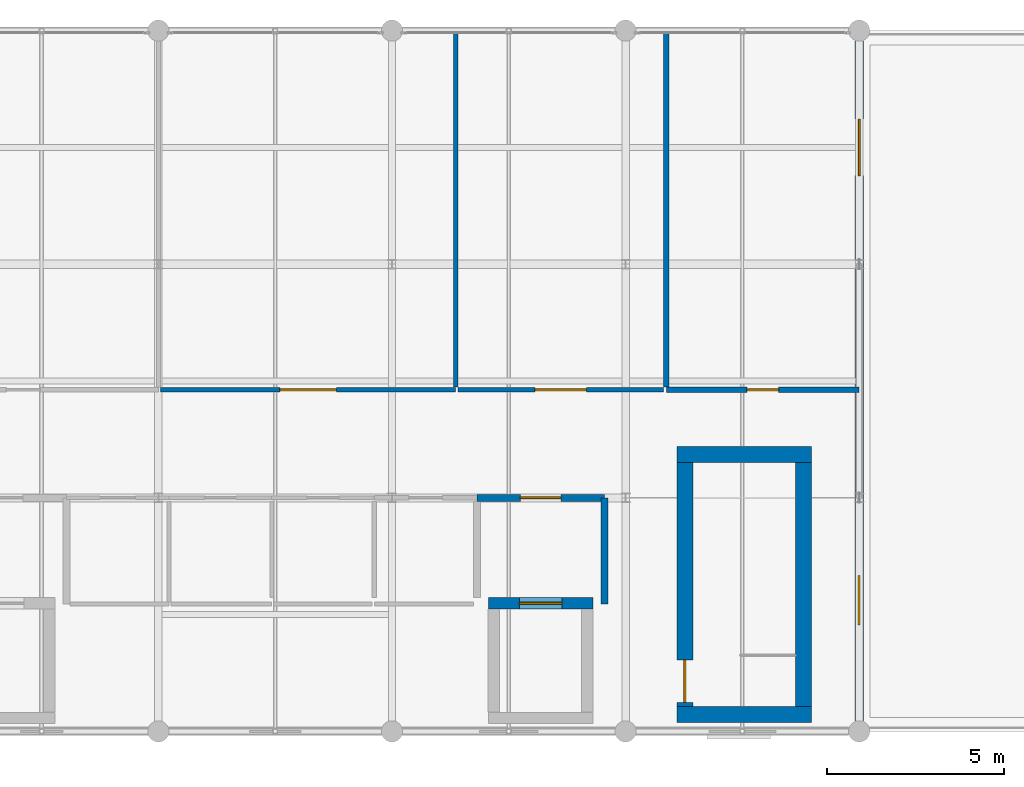
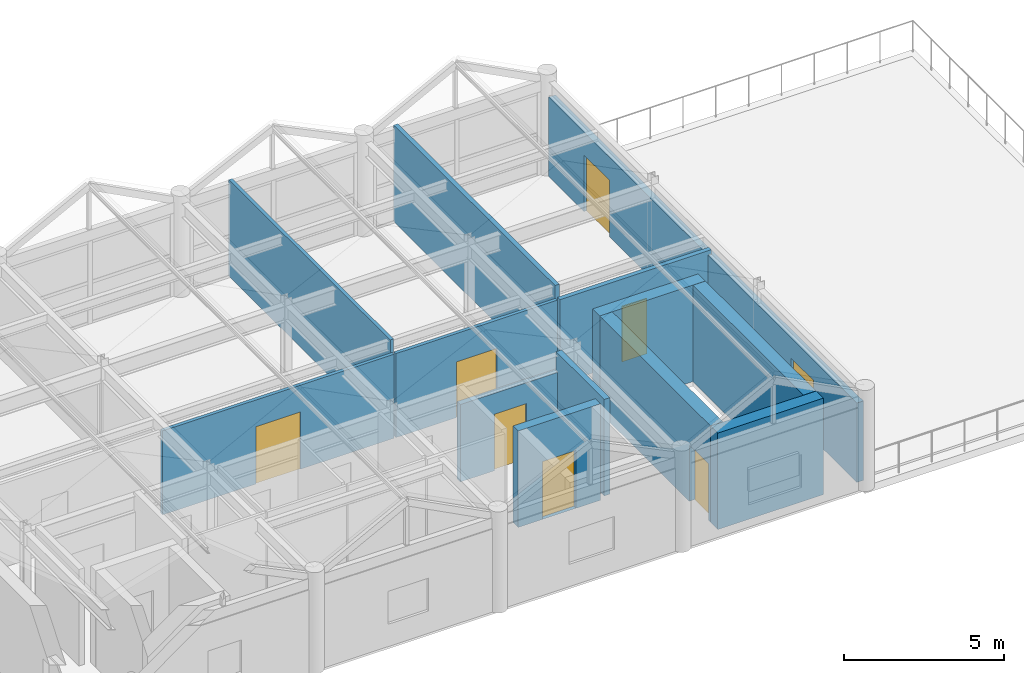
# One storey, part 20 of 21: 13 walls, 7 doors, 1 window, 8 openings.
"""IFC4 building model written with IfcOpenShell, lengths in metres."""

from ifc_helpers import new_model, si_unit, direction, frame, frame_2d, origin, place, context, subcontext, project, spatial, rectangle, extrude, material, layer, layer_set, type_object, element, fill, save


model = new_model("IFC4")

# Units and contexts
model_context = context("Model", 3, precision=1e-05, world=origin(), true_north=direction((0.0, 1.0)))
body_context = subcontext(model_context, "Body", "Model", "MODEL_VIEW")
ifc_project = project(units=[si_unit("LENGTHUNIT", "METRE"), si_unit("AREAUNIT", "SQUARE_METRE"), si_unit("VOLUMEUNIT", "CUBIC_METRE"), si_unit("PLANEANGLEUNIT", "RADIAN"), si_unit("MASSUNIT", "GRAM", prefix="KILO")], contexts=[model_context])

# Site, building, storey
site_placement = place(None, origin())
site = spatial("IfcSite", under=ifc_project, at=site_placement, CompositionType="ELEMENT")
building_placement = place(site_placement, origin())
building = spatial("IfcBuilding", under=site, at=building_placement, Name="Karori Crest Natural Sciences Institute", CompositionType="ELEMENT")
storey_placement = place(building_placement, frame((0.0, 0.0, 42.0)))
storey = spatial("IfcBuildingStorey", under=building, at=storey_placement, Name="L10", CompositionType="ELEMENT", Elevation=42.0)

# Walls
ifc_material_1 = material(Name="Concrete 50 MPa", Category="concrete")
ifc_layer_1 = layer(ifc_material_1, 0.449951171875, Name="Concrete 50 MPa")
ifc_layer_set_1 = layer_set([ifc_layer_1], Name="Concrete 50 MPa")
wall_type_1 = type_object("IfcWallType", Name="IWT-01", PredefinedType="SHEAR", material=ifc_layer_set_1)
for number, where, z_axis, x_axis, name in (
    (1, (131.449951171875, 1.27490234375, 0.0), (0.0, 0.0, 1.0), (1.0, 0.0, 0.0), "Shear wall IW-0161"),
    (2, (131.449951171875, 8.625, 0.0), (0.0, 0.0, 1.0), (1.0, 0.0, 0.0), "Shear wall IW-0162"),
):
    element("IfcWall", number, at=place(storey_placement, frame(where, z_axis=z_axis, x_axis=x_axis)), inside=storey, type_object=wall_type_1, Name=name, PredefinedType="SHEAR", context=body_context, shape_type="SweptSolid", body=[
        extrude(rectangle(XDim=3.800048828125, YDim=0.449951171875, at=frame_2d((1.89990234375, 0.0))), origin(), (0.0, 0.0, 1.0), 3.669921875),
    ])

# Wall, opening, door
wall_1_placement = place(storey_placement, frame((131.675048828125, 1.501953125, 0.0), z_axis=(0.0, 0.0, 1.0), x_axis=(0.0, 1.0, 0.0)))
wall_1 = element("IfcWall", 3, at=wall_1_placement, inside=storey, type_object=wall_type_1, Name="Shear wall IW-0163", PredefinedType="SHEAR", context=body_context, shape_type="SweptSolid", body=[
    extrude(rectangle(XDim=6.89599609375, YDim=0.449951171875, at=frame_2d((3.447998046875, 0.0))), origin(), (0.0, 0.0, 1.0), 3.669921875),
])
opening_1_placement = place(wall_1_placement, frame((0.1201171875, 0.0, 0.0)))
opening_1 = element("IfcOpeningElement", 4, at=opening_1_placement, cuts=wall_1, Name="Opening ID-0041", PredefinedType="OPENING", context=body_context, shape_type="SweptSolid", body=[
    extrude(rectangle(XDim=1.199951171875, YDim=2.14990234375, at=frame_2d((0.60009765625, 1.074951171875))), frame((0.0, 0.23486328125, 0.0), z_axis=(0.0, -1.0, 0.0), x_axis=(1.0, 0.0, 0.0)), (0.0, 0.0, 1.0), 0.469970703125),
])
ifc_material_2 = material(Name="Stainless steel 316 and fire-rated timber", Category="steel")
door_type_1 = type_object("IfcDoorType", Name="IDT-01", OperationType="NOTDEFINED", PredefinedType="DOOR", material=ifc_material_2)
door_1_placement = place(opening_1_placement, origin())
door_1 = element("IfcDoor", 5, at=door_1_placement, inside=storey, type_object=door_type_1, Name="Stair ST-04 fire door ID-0041", OperationType="SINGLE_SWING_LEFT", OverallHeight=2.14990234375, OverallWidth=1.199951171875, PredefinedType="DOOR", context=body_context, shape_type="SweptSolid", body=[
    extrude(rectangle(XDim=1.199951171875, YDim=2.14990234375, at=frame_2d((0.60009765625, 1.074951171875))), frame((0.0, 0.02490234375, 0.0), z_axis=(0.0, -1.0, 0.0), x_axis=(1.0, 0.0, 0.0)), (0.0, 0.0, 1.0), 0.050048828125),
])
fill(opening_1, door_1)

# Wall
wall_2_placement = place(storey_placement, frame((135.02490234375, 1.501953125, 0.0), z_axis=(0.0, 0.0, 1.0), x_axis=(0.0, 1.0, 0.0)))
element("IfcWall", 6, at=wall_2_placement, inside=storey, type_object=wall_type_1, Name="Shear wall IW-0164", PredefinedType="SHEAR", context=body_context, shape_type="SweptSolid", body=[
    extrude(rectangle(XDim=6.89599609375, YDim=0.449951171875, at=frame_2d((3.447998046875, 0.0))), origin(), (0.0, 0.0, 1.0), 3.669921875),
])

# Wall, opening, door
ifc_layer_2 = layer(ifc_material_1, 0.320068359375, Name="Concrete 50 MPa")
ifc_layer_set_2 = layer_set([ifc_layer_2], Name="Concrete 50 MPa")
wall_type_2 = type_object("IfcWallType", Name="IWT-03", PredefinedType="SHEAR", material=ifc_layer_set_2)
wall_3_placement = place(storey_placement, frame((126.1201171875, 4.419921875, 0.0), z_axis=(0.0, 0.0, 1.0), x_axis=(1.0, 0.0, 0.0)))
wall_3 = element("IfcWall", 7, at=wall_3_placement, inside=storey, type_object=wall_type_2, Name="Shear wall IW-0398", PredefinedType="SHEAR", context=body_context, shape_type="SweptSolid", body=[
    extrude(rectangle(XDim=2.9599609375, YDim=0.320068359375, at=frame_2d((1.47998046875, 0.0))), origin(), (0.0, 0.0, 1.0), 3.669921875),
])
opening_2_placement = place(wall_3_placement, frame((0.8798828125, 0.0, 0.0)))
opening_2 = element("IfcOpeningElement", 8, at=opening_2_placement, cuts=wall_3, Name="Opening LD-0024", PredefinedType="OPENING", context=body_context, shape_type="SweptSolid", body=[
    extrude(rectangle(XDim=1.199951171875, YDim=2.199951171875, at=frame_2d((0.60009765625, 1.10009765625))), frame((0.0, 0.169921875, 0.0), z_axis=(0.0, -1.0, 0.0), x_axis=(1.0, 0.0, 0.0)), (0.0, 0.0, 1.0), 0.340087890625),
])
door_type_2 = type_object("IfcDoorType", Name="LDT-02", OperationType="SLIDING_TO_LEFT", PredefinedType="DOOR", material=ifc_material_2)
door_2_placement = place(opening_2_placement, origin())
door_2 = element("IfcDoor", 9, at=door_2_placement, inside=storey, type_object=door_type_2, Name="Lift LF-02 landing door LD-0024", OperationType="SLIDING_TO_LEFT", OverallHeight=2.199951171875, OverallWidth=1.199951171875, PredefinedType="DOOR", context=body_context, shape_type="SweptSolid", body=[
    extrude(rectangle(XDim=1.199951171875, YDim=2.199951171875, at=frame_2d((0.60009765625, 1.10009765625))), frame((0.0, 0.02490234375, 0.0), z_axis=(0.0, -1.0, 0.0), x_axis=(1.0, 0.0, 0.0)), (0.0, 0.0, 1.0), 0.050048828125),
])
fill(opening_2, door_2)

ifc_material_3 = material(Name="Concrete 40 MPa", Category="concrete")
ifc_layer_3 = layer(ifc_material_3, 0.199951171875, Name="Concrete 40 MPa")
ifc_layer_set_3 = layer_set([ifc_layer_3], Name="Concrete 40 MPa")
wall_type_3 = type_object("IfcWallType", Name="IWT-04", PredefinedType="SOLIDWALL", material=ifc_layer_set_3)
wall_4_placement = place(storey_placement, frame((125.800048828125, 7.39990234375, 0.0), z_axis=(0.0, 0.0, 1.0), x_axis=(1.0, 0.0, 0.0)))
wall_4 = element("IfcWall", 10, at=wall_4_placement, inside=storey, type_object=wall_type_3, Name="Partition wall IW-0869", PredefinedType="SOLIDWALL", context=body_context, shape_type="SweptSolid", body=[
    extrude(rectangle(XDim=3.599853515625, YDim=0.199951171875, at=frame_2d((1.7998046875, 0.0))), origin(), (0.0, 0.0, 1.0), 2.943115234375),
])
opening_3_placement = place(wall_4_placement, frame((1.22509765625, 0.0, 0.0)))
opening_3 = element("IfcOpeningElement", 11, at=opening_3_placement, cuts=wall_4, Name="Opening ID-0212", PredefinedType="OPENING", context=body_context, shape_type="SweptSolid", body=[
    extrude(rectangle(XDim=1.14990234375, YDim=2.14990234375, at=frame_2d((0.574951171875, 1.074951171875))), frame((0.0, 0.10986328125, 0.0), z_axis=(0.0, -1.0, 0.0), x_axis=(1.0, 0.0, 0.0)), (0.0, 0.0, 1.0), 0.219970703125),
])
door_type_3 = type_object("IfcDoorType", Name="IDT-02", OperationType="NOTDEFINED", PredefinedType="DOOR", material=ifc_material_2)
door_3_placement = place(opening_3_placement, origin())
door_3 = element("IfcDoor", 12, at=door_3_placement, inside=storey, type_object=door_type_3, Name="Firefighting Lift Lobby East door ID-0212", OperationType="SINGLE_SWING_RIGHT", OverallHeight=2.14990234375, OverallWidth=1.14990234375, PredefinedType="DOOR", context=body_context, shape_type="SweptSolid", body=[
    extrude(rectangle(XDim=1.14990234375, YDim=2.14990234375, at=frame_2d((0.574951171875, 1.074951171875))), frame((0.0, 0.02490234375, 0.0), z_axis=(0.0, -1.0, 0.0), x_axis=(1.0, 0.0, 0.0)), (0.0, 0.0, 1.0), 0.050048828125),
])
fill(opening_3, door_3)

# Wall
wall_5_placement = place(storey_placement, frame((129.39990234375, 4.39990234375, 0.0), z_axis=(0.0, 0.0, 1.0), x_axis=(0.0, 1.0, 0.0)))
element("IfcWall", 13, at=wall_5_placement, inside=storey, type_object=wall_type_3, Name="Partition wall IW-0871", PredefinedType="SOLIDWALL", context=body_context, shape_type="SweptSolid", body=[
    extrude(rectangle(XDim=3.0, YDim=0.199951171875, at=frame_2d((1.5, 0.0))), origin(), (0.0, 0.0, 1.0), 3.669921875),
])

# Wall, opening, door
ifc_material_4 = material(Name="Acoustic steel-stud fireboard partition", Category="steel")
ifc_layer_4 = layer(ifc_material_4, 0.159912109375, Name="Acoustic steel-stud fireboard partition")
ifc_layer_set_4 = layer_set([ifc_layer_4], Name="Acoustic steel-stud fireboard partition")
wall_type_4 = type_object("IfcWallType", Name="IWT-05", PredefinedType="PARTITIONING", material=ifc_layer_set_4)
wall_6_placement = place(storey_placement, frame((131.14990234375, 10.449951171875, 0.0), z_axis=(0.0, 0.0, 1.0), x_axis=(1.0, 0.0, 0.0)))
wall_6 = element("IfcWall", 14, at=wall_6_placement, inside=storey, type_object=wall_type_4, Name="Partition wall IW-0883", PredefinedType="PARTITIONING", context=body_context, shape_type="SweptSolid", body=[
    extrude(rectangle(XDim=5.4501953125, YDim=0.159912109375, at=frame_2d((2.72509765625, 0.0))), origin(), (0.0, 0.0, 1.0), 3.196044921875),
])
opening_4_placement = place(wall_6_placement, frame((2.27490234375, 0.0, 0.0)))
opening_4 = element("IfcOpeningElement", 15, at=opening_4_placement, cuts=wall_6, Name="Opening ID-0217", PredefinedType="OPENING", context=body_context, shape_type="SweptSolid", body=[
    extrude(rectangle(XDim=0.89990234375, YDim=2.10009765625, at=frame_2d((0.449951171875, 1.050048828125))), frame((0.0, 0.08984375, 0.0), z_axis=(0.0, -1.0, 0.0), x_axis=(1.0, 0.0, 0.0)), (0.0, 0.0, 1.0), 0.179931640625),
])
door_type_4 = type_object("IfcDoorType", Name="IDT-07", OperationType="NOTDEFINED", PredefinedType="DOOR", material=ifc_material_2)
door_4_placement = place(opening_4_placement, origin())
door_4 = element("IfcDoor", 16, at=door_4_placement, inside=storey, type_object=door_type_4, Name="Heat-Recovery Mechanical Plant Room door ID-0217", OperationType="SINGLE_SWING_LEFT", OverallHeight=2.10009765625, OverallWidth=0.89990234375, PredefinedType="DOOR", context=body_context, shape_type="SweptSolid", body=[
    extrude(rectangle(XDim=0.89990234375, YDim=2.10009765625, at=frame_2d((0.449951171875, 1.050048828125))), frame((0.0, 0.02490234375, 0.0), z_axis=(0.0, -1.0, 0.0), x_axis=(1.0, 0.0, 0.0)), (0.0, 0.0, 1.0), 0.050048828125),
])
fill(opening_4, door_4)

# Wall
wall_7_placement = place(storey_placement, frame((131.14990234375, 10.531982421875, 0.0), z_axis=(0.0, 0.0, 1.0), x_axis=(0.0, 1.0, 0.0)))
element("IfcWall", 17, at=wall_7_placement, inside=storey, type_object=wall_type_4, Name="Partition wall IW-0884", PredefinedType="PARTITIONING", context=body_context, shape_type="SweptSolid", body=[
    extrude(rectangle(XDim=10.068115234375, YDim=0.159912109375, at=frame_2d((5.0341796875, 0.0))), origin(), (0.0, 0.0, 1.0), 3.669921875),
])

# Wall, opening, door
ifc_material_5 = material(Name="Write-up office acoustic partition")
ifc_layer_5 = layer(ifc_material_5, 0.1201171875, Name="Write-up office acoustic partition")
ifc_layer_set_5 = layer_set([ifc_layer_5], Name="Write-up office acoustic partition")
wall_type_5 = type_object("IfcWallType", Name="IWT-08", PredefinedType="PARTITIONING", material=ifc_layer_set_5)
wall_8_placement = place(storey_placement, frame((116.862060546875, 10.449951171875, 0.0), z_axis=(0.0, 0.0, 1.0), x_axis=(1.0, 0.0, 0.0)))
wall_8 = element("IfcWall", 18, at=wall_8_placement, inside=storey, type_object=wall_type_5, Name="Partition wall IW-0889", PredefinedType="PARTITIONING", context=body_context, shape_type="SweptSolid", body=[
    extrude(rectangle(XDim=8.337890625, YDim=0.1201171875, at=frame_2d((4.1689453125, 0.0))), origin(), (0.0, 0.0, 1.0), 3.196044921875),
])
opening_5_placement = place(wall_8_placement, frame((3.368896484375, 0.0, 0.0)))
opening_5 = element("IfcOpeningElement", 19, at=opening_5_placement, cuts=wall_8, Name="Opening ID-0220", PredefinedType="OPENING", context=body_context, shape_type="SweptSolid", body=[
    extrude(rectangle(XDim=1.60009765625, YDim=2.179931640625, at=frame_2d((0.800048828125, 1.08984375))), frame((0.0, 0.070068359375, 0.0), z_axis=(0.0, -1.0, 0.0), x_axis=(1.0, 0.0, 0.0)), (0.0, 0.0, 1.0), 0.14013671875),
])
ifc_material_6 = material(Name="Anodised aluminium and acoustic timber", Category="wood")
door_type_5 = type_object("IfcDoorType", Name="IDT-13", OperationType="DOUBLE_DOOR_SINGLE_SWING", PredefinedType="DOOR", material=ifc_material_6)
door_5_placement = place(opening_5_placement, origin())
door_5 = element("IfcDoor", 20, at=door_5_placement, inside=storey, type_object=door_type_5, Name="Academic Seminar Room door ID-0220", OperationType="DOUBLE_DOOR_SINGLE_SWING", OverallHeight=2.179931640625, OverallWidth=1.60009765625, PredefinedType="DOOR", context=body_context, shape_type="SweptSolid", body=[
    extrude(rectangle(XDim=1.60009765625, YDim=2.179931640625, at=frame_2d((0.800048828125, 1.08984375))), frame((0.0, 0.02490234375, 0.0), z_axis=(0.0, -1.0, 0.0), x_axis=(1.0, 0.0, 0.0)), (0.0, 0.0, 1.0), 0.050048828125),
])
fill(opening_5, door_5)

# Wall
wall_9_placement = place(storey_placement, frame((125.199951171875, 10.531982421875, 0.0), z_axis=(0.0, 0.0, 1.0), x_axis=(0.0, 1.0, 0.0)))
element("IfcWall", 21, at=wall_9_placement, inside=storey, type_object=wall_type_5, Name="Partition wall IW-0890", PredefinedType="PARTITIONING", context=body_context, shape_type="SweptSolid", body=[
    extrude(rectangle(XDim=10.068115234375, YDim=0.1201171875, at=frame_2d((5.0341796875, 0.0))), origin(), (0.0, 0.0, 1.0), 3.669921875),
])

# Wall, opening, door
wall_10_placement = place(storey_placement, frame((125.261962890625, 10.449951171875, 0.0), z_axis=(0.0, 0.0, 1.0), x_axis=(1.0, 0.0, 0.0)))
wall_10 = element("IfcWall", 22, at=wall_10_placement, inside=storey, type_object=wall_type_5, Name="Partition wall IW-0891", PredefinedType="PARTITIONING", context=body_context, shape_type="SweptSolid", body=[
    extrude(rectangle(XDim=5.80615234375, YDim=0.1201171875, at=frame_2d((2.903076171875, 0.0))), origin(), (0.0, 0.0, 1.0), 3.196044921875),
])
opening_6_placement = place(wall_10_placement, frame((2.177978515625, 0.0, 0.0)))
opening_6 = element("IfcOpeningElement", 23, at=opening_6_placement, cuts=wall_10, Name="Opening ID-0221", PredefinedType="OPENING", context=body_context, shape_type="SweptSolid", body=[
    extrude(rectangle(XDim=1.449951171875, YDim=2.1201171875, at=frame_2d((0.72509765625, 1.06005859375))), frame((0.0, 0.070068359375, 0.0), z_axis=(0.0, -1.0, 0.0), x_axis=(1.0, 0.0, 0.0)), (0.0, 0.0, 1.0), 0.14013671875),
])
door_type_6 = type_object("IfcDoorType", Name="IDT-11", OperationType="DOUBLE_DOOR_SINGLE_SWING", PredefinedType="DOOR", material=ifc_material_6)
door_6_placement = place(opening_6_placement, origin())
door_6 = element("IfcDoor", 24, at=door_6_placement, inside=storey, type_object=door_type_6, Name="Research Library Colloquium door ID-0221", OperationType="DOUBLE_DOOR_SINGLE_SWING", OverallHeight=2.1201171875, OverallWidth=1.449951171875, PredefinedType="DOOR", context=body_context, shape_type="SweptSolid", body=[
    extrude(rectangle(XDim=1.449951171875, YDim=2.1201171875, at=frame_2d((0.72509765625, 1.06005859375))), frame((0.0, 0.02490234375, 0.0), z_axis=(0.0, -1.0, 0.0), x_axis=(1.0, 0.0, 0.0)), (0.0, 0.0, 1.0), 0.050048828125),
])
fill(opening_6, door_6)

# Wall, openings, door, window
ifc_material_7 = material(Name="Precast concrete 40 MPa", Category="concrete")
ifc_layer_6 = layer(ifc_material_7, 0.239990234375, Name="Precast concrete 40 MPa")
ifc_layer_set_6 = layer_set([ifc_layer_6], Name="Precast concrete 40 MPa")
wall_type_6 = type_object("IfcWallType", Name="WT-04", PredefinedType="SOLIDWALL", material=ifc_layer_set_6)
wall_11_placement = place(storey_placement, frame((136.60009765625, 20.302001953125, 0.0), z_axis=(0.0, 0.0, 1.0), x_axis=(0.0, -1.0, 0.0)))
wall_11 = element("IfcWall", 25, at=wall_11_placement, inside=storey, type_object=wall_type_6, Name="Exterior wall EW-0225", PredefinedType="SOLIDWALL", context=body_context, shape_type="SweptSolid", body=[
    extrude(rectangle(XDim=19.2041015625, YDim=0.239990234375, at=frame_2d((9.60205078125, 0.0))), origin(), (0.0, 0.0, 1.0), 3.02197265625),
])
opening_7_placement = place(wall_11_placement, frame((2.199951171875, 0.0, 0.0)))
opening_7 = element("IfcOpeningElement", 26, at=opening_7_placement, cuts=wall_11, Name="Opening ED-0030", PredefinedType="OPENING", context=body_context, shape_type="SweptSolid", body=[
    extrude(rectangle(XDim=1.60009765625, YDim=2.14990234375, at=frame_2d((0.800048828125, 1.074951171875))), frame((0.0, 0.1298828125, 0.0), z_axis=(0.0, -1.0, 0.0), x_axis=(1.0, 0.0, 0.0)), (0.0, 0.0, 1.0), 0.260009765625),
])
opening_8_placement = place(wall_11_placement, frame((15.10205078125, 0.0, 0.85009765625)))
opening_8 = element("IfcOpeningElement", 27, at=opening_8_placement, cuts=wall_11, Name="Opening WN-0233", PredefinedType="OPENING", context=body_context, shape_type="SweptSolid", body=[
    extrude(rectangle(XDim=1.39990234375, YDim=1.39990234375, at=frame_2d((0.699951171875, 0.699951171875))), frame((0.0, 0.1298828125, 0.0), z_axis=(0.0, -1.0, 0.0), x_axis=(1.0, 0.0, 0.0)), (0.0, 0.0, 1.0), 0.260009765625),
])
ifc_material_8 = material(Name="Anodised architectural aluminium 6063-T6", Category="aluminium")
door_type_7 = type_object("IfcDoorType", Name="EDT-05", OperationType="DOUBLE_DOOR_SINGLE_SWING", PredefinedType="DOOR", material=ifc_material_8)
door_7_placement = place(opening_7_placement, origin())
door_7 = element("IfcDoor", 28, at=door_7_placement, inside=storey, type_object=door_type_7, Name="L10 roof garden terrace door ED-0030", OperationType="DOUBLE_DOOR_SINGLE_SWING", OverallHeight=2.14990234375, OverallWidth=1.60009765625, PredefinedType="DOOR", context=body_context, shape_type="SweptSolid", body=[
    extrude(rectangle(XDim=1.60009765625, YDim=2.14990234375, at=frame_2d((0.800048828125, 1.074951171875))), frame((0.0, 0.02490234375, 0.0), z_axis=(0.0, -1.0, 0.0), x_axis=(1.0, 0.0, 0.0)), (0.0, 0.0, 1.0), 0.050048828125),
])
fill(opening_7, door_7)
ifc_material_9 = material(Name="Double low-E laminated glass", Category="glass")
window_type = type_object("IfcWindowType", Name="WNT-03", PartitioningType="SINGLE_PANEL", PredefinedType="WINDOW", material=ifc_material_9)
window_placement = place(opening_8_placement, origin())
window = element("IfcWindow", 29, at=window_placement, inside=storey, type_object=window_type, Name="Window WN-0233", OverallHeight=1.39990234375, OverallWidth=1.39990234375, PartitioningType="SINGLE_PANEL", PredefinedType="WINDOW", context=body_context, shape_type="SweptSolid", body=[
    extrude(rectangle(XDim=1.39990234375, YDim=1.39990234375, at=frame_2d((0.699951171875, 0.699951171875))), frame((0.0, 0.030029296875, 0.0), z_axis=(0.0, -1.0, 0.0), x_axis=(1.0, 0.0, 0.0)), (0.0, 0.0, 1.0), 0.06005859375),
])
fill(opening_8, window)

save(model, "model.ifc")
